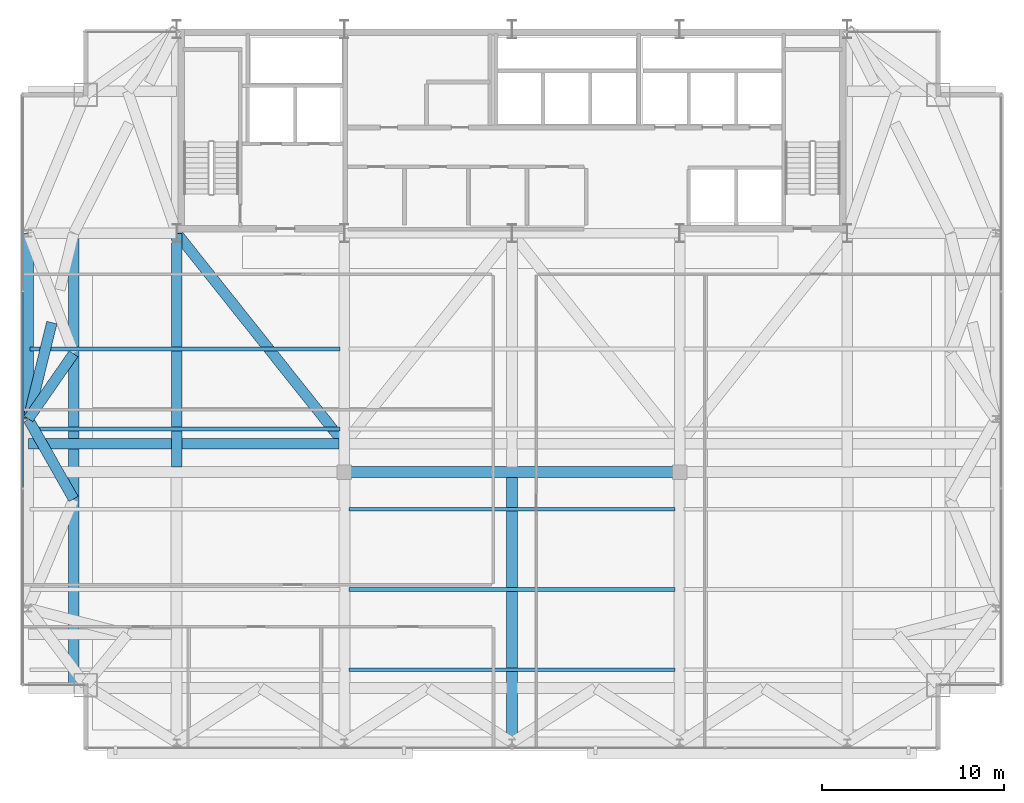
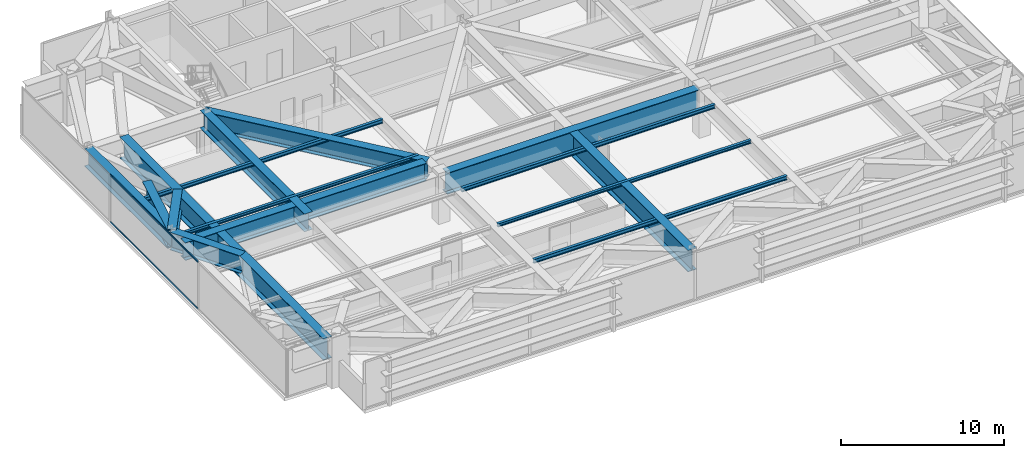
# One storey, part 10 of 26: 16 beams, 2 members, 1 element without a shape of its own.
"""IFC4 building model written with IfcOpenShell, lengths in metres."""

from ifc_helpers import new_model, si_unit, direction, frame, origin, origin_2d, place, context, subcontext, project, spatial, hollow_rectangle, i_section, extrude, source, transform, mapped, material, layer, layer_set, material_profile, profile_set, type_object, type_shapes, element, aggregate, save


model = new_model("IFC4")

# Units and contexts
model_context = context("Model", 3, precision=1e-05, world=origin(), true_north=direction((0.0, 1.0)))
body_context = subcontext(model_context, "Body", "Model", "MODEL_VIEW")
ifc_project = project(units=[si_unit("LENGTHUNIT", "METRE"), si_unit("AREAUNIT", "SQUARE_METRE"), si_unit("VOLUMEUNIT", "CUBIC_METRE"), si_unit("PLANEANGLEUNIT", "RADIAN"), si_unit("MASSUNIT", "GRAM", prefix="KILO")], contexts=[model_context])

# Site, building, storey
site_placement = place(None, origin())
site = spatial("IfcSite", under=ifc_project, at=site_placement, CompositionType="ELEMENT")
building_placement = place(site_placement, origin())
building = spatial("IfcBuilding", under=site, at=building_placement, Name="Varnel Quay Broadcast Tower", CompositionType="ELEMENT")
storey_placement = place(building_placement, frame((0.0, 0.0, 196.0)))
storey = spatial("IfcBuildingStorey", under=building, at=storey_placement, Name="L48", CompositionType="ELEMENT", Elevation=196.0)

# Beams
ifc_material_1 = material(Name="Structural Steel CSA G40.21 350WT", Category="steel")
ifc_material_profile_1 = material_profile(ifc_material_1, i_section(OverallWidth=0.580078125, OverallDepth=1.330078125, WebThickness=0.02197265625, FlangeThickness=0.0380859375, FilletRadius=0.02001953125, at=origin_2d()), Name="WWF1330X535")
ifc_profile_set_1 = profile_set([ifc_material_profile_1], Name="Structural Steel CSA G40.21 350WT")
beam_type_1 = type_object("IfcBeamType", Name="Girder_WWF1330X535", PredefinedType="BEAM", material=ifc_profile_set_1)
shared_shape_1 = source(origin(), body_context, "Body", "SweptSolid", [
    extrude(i_section(OverallWidth=0.580078125, OverallDepth=1.330078125, WebThickness=0.02197265625, FlangeThickness=0.0380859375, FilletRadius=0.02001953125, at=origin_2d()), origin(), (0.0, 0.0, 1.0), 10.16015625),
])
beam_1_placement = place(storey_placement, frame((7.449951171875, 25.419921875, 2.885009765625), z_axis=(0.0, 1.0, 0.0), x_axis=(-1.0, 0.0, 0.0)))
element("IfcBeam", 1, at=beam_1_placement, inside=storey, type_object=beam_type_1, Name="L48 West Transfer Spine TC-W2-TC-W3", PredefinedType="BEAM", context=body_context, shape_type="MappedRepresentation", body=[
    mapped(shared_shape_1, transform((0.0, 0.0, 0.0), x_axis=(1.0, 0.0, 0.0), y_axis=(0.0, 1.0, 0.0), z_axis=(0.0, 0.0, 1.0), scale=1.0)),
])
ifc_material_profile_2 = material_profile(ifc_material_1, i_section(OverallWidth=0.60009765625, OverallDepth=1.60009765625, WebThickness=0.02392578125, FlangeThickness=0.0419921875, FilletRadius=0.02197265625, at=origin_2d()), Name="WWF1600X620")
ifc_profile_set_2 = profile_set([ifc_material_profile_2], Name="Structural Steel CSA G40.21 350WT")
beam_type_2 = type_object("IfcBeamType", Name="Girder_WWF1600X620", PredefinedType="BEAM", material=ifc_profile_set_2)
shared_shape_2 = source(origin(), body_context, "Body", "SweptSolid", [
    extrude(i_section(OverallWidth=0.60009765625, OverallDepth=1.60009765625, WebThickness=0.02392578125, FlangeThickness=0.0419921875, FilletRadius=0.02197265625, at=origin_2d()), origin(), (0.0, 0.0, 1.0), 17.830078125),
])
beam_2_placement = place(storey_placement, frame((25.0849609375, 22.489990234375, 2.75), z_axis=(1.0, 0.0, 0.0), x_axis=(0.0, 1.0, 0.0)))
element("IfcBeam", 2, at=beam_2_placement, inside=storey, type_object=beam_type_2, Name="L48 Mid Transfer Spine C", PredefinedType="BEAM", context=body_context, shape_type="MappedRepresentation", body=[
    mapped(shared_shape_2, transform((0.0, 0.0, 0.0), x_axis=(1.0, 0.0, 0.0), y_axis=(0.0, 1.0, 0.0), z_axis=(0.0, 0.0, 1.0), scale=1.0)),
])
shared_shape_3 = source(origin(), body_context, "Body", "SweptSolid", [
    extrude(i_section(OverallWidth=0.580078125, OverallDepth=1.330078125, WebThickness=0.02197265625, FlangeThickness=0.0380859375, FilletRadius=0.02001953125, at=origin_2d()), origin(), (0.0, 0.0, 1.0), 8.6298828125),
])
beam_3_placement = place(storey_placement, frame((15.885009765625, 24.050048828125, 2.885009765625), z_axis=(1.0, 0.0, 0.0), x_axis=(0.0, 1.0, 0.0)))
element("IfcBeam", 3, at=beam_3_placement, inside=storey, type_object=beam_type_1, Name="L48 Setback Interior Column Transfer 2", PredefinedType="BEAM", context=body_context, shape_type="MappedRepresentation", body=[
    mapped(shared_shape_3, transform((0.0, 0.0, 0.0), x_axis=(1.0, 0.0, 0.0), y_axis=(0.0, 1.0, 0.0), z_axis=(0.0, 0.0, 1.0), scale=1.0)),
])
ifc_material_2 = material(Name="Structural Steel CSA G40.21 350W", Category="steel")
ifc_material_profile_3 = material_profile(ifc_material_2, i_section(OverallWidth=0.202880859375, OverallDepth=0.302978515625, WebThickness=0.007568359375, FlangeThickness=0.01318359375, FilletRadius=0.011962890625, at=origin_2d()), Name="W310X60")
ifc_profile_set_3 = profile_set([ifc_material_profile_3], Name="Structural Steel CSA G40.21 350W")
beam_type_3 = type_object("IfcBeamType", Name="Beam_W310X60", PredefinedType="JOIST", material=ifc_profile_set_3)
shared_shape_4 = source(origin(), body_context, "Body", "SweptSolid", [
    extrude(i_section(OverallWidth=0.202880859375, OverallDepth=0.302978515625, WebThickness=0.007568359375, FlangeThickness=0.01318359375, FilletRadius=0.011962890625, at=origin_2d()), origin(), (0.0, 0.0, 1.0), 17.91015625),
])
for number, where, z_axis, x_axis, name in (
    (4, (25.044921875, 11.64990234375, 3.3984375), (1.0, 0.0, 0.0), (0.0, 1.0, 0.0), "L48 Central Floor Joist 1"),
    (5, (25.044921875, 20.449951171875, 3.3984375), (1.0, 0.0, 0.0), (0.0, 1.0, 0.0), "L48 Central Floor Joist 3"),
):
    element("IfcBeam", number, at=place(storey_placement, frame(where, z_axis=z_axis, x_axis=x_axis)), inside=storey, type_object=beam_type_3, Name=name, PredefinedType="JOIST", context=body_context, shape_type="MappedRepresentation", body=[
        mapped(shared_shape_4, transform((0.0, 0.0, 0.0), x_axis=(1.0, 0.0, 0.0), y_axis=(0.0, 1.0, 0.0), z_axis=(0.0, 0.0, 1.0), scale=1.0)),
    ])
ifc_material_profile_4 = material_profile(ifc_material_2, i_section(OverallWidth=0.201904296875, OverallDepth=0.2470703125, WebThickness=0.00732421875, FlangeThickness=0.010986328125, FilletRadius=0.010986328125, at=origin_2d()), Name="W250X49")
ifc_profile_set_4 = profile_set([ifc_material_profile_4], Name="Structural Steel CSA G40.21 350W")
beam_type_4 = type_object("IfcBeamType", Name="Beam_W250X49", PredefinedType="JOIST", material=ifc_profile_set_4)
shared_shape_5 = source(origin(), body_context, "Body", "SweptSolid", [
    extrude(i_section(OverallWidth=0.201904296875, OverallDepth=0.2470703125, WebThickness=0.00732421875, FlangeThickness=0.010986328125, FilletRadius=0.010986328125, at=origin_2d()), origin(), (0.0, 0.0, 1.0), 17.91015625),
])
beam_4_placement = place(storey_placement, frame((25.044921875, 16.050048828125, 3.426513671875), z_axis=(1.0, 0.0, 0.0), x_axis=(0.0, 1.0, 0.0)))
element("IfcBeam", 6, at=beam_4_placement, inside=storey, type_object=beam_type_4, Name="L48 Central Floor Joist 2", PredefinedType="JOIST", context=body_context, shape_type="MappedRepresentation", body=[
    mapped(shared_shape_5, transform((0.0, 0.0, 0.0), x_axis=(1.0, 0.0, 0.0), y_axis=(0.0, 1.0, 0.0), z_axis=(0.0, 0.0, 1.0), scale=1.0)),
])
shared_shape_6 = source(origin(), body_context, "Body", "SweptSolid", [
    extrude(i_section(OverallWidth=0.60009765625, OverallDepth=1.60009765625, WebThickness=0.02392578125, FlangeThickness=0.0419921875, FilletRadius=0.02197265625, at=origin_2d()), origin(), (0.0, 0.0, 1.0), 14.53515625),
])
beam_5_placement = place(storey_placement, frame((34.0, 7.669921875, 2.75), z_axis=(0.0, 1.0, 0.0), x_axis=(-1.0, 0.0, 0.0)))
element("IfcBeam", 7, at=beam_5_placement, inside=storey, type_object=beam_type_2, Name="L48 N-S Transfer Girder 3A", PredefinedType="BEAM", context=body_context, shape_type="MappedRepresentation", body=[
    mapped(shared_shape_6, transform((0.0, 0.0, 0.0), x_axis=(1.0, 0.0, 0.0), y_axis=(0.0, 1.0, 0.0), z_axis=(0.0, 0.0, 1.0), scale=1.0)),
])
shared_shape_7 = source(origin(), body_context, "Body", "SweptSolid", [
    extrude(i_section(OverallWidth=0.580078125, OverallDepth=1.330078125, WebThickness=0.02197265625, FlangeThickness=0.0380859375, FilletRadius=0.02001953125, at=origin_2d()), origin(), (0.0, 0.0, 1.0), 12.80517578125),
])
beam_6_placement = place(storey_placement, frame((15.60009765625, 22.77490234375, 2.885009765625), z_axis=(0.0, 1.0, 0.0), x_axis=(-1.0, 0.0, 0.0)))
element("IfcBeam", 8, at=beam_6_placement, inside=storey, type_object=beam_type_1, Name="L48 N-S Transfer Girder 1B", PredefinedType="BEAM", context=body_context, shape_type="MappedRepresentation", body=[
    mapped(shared_shape_7, transform((0.0, 0.0, 0.0), x_axis=(1.0, 0.0, 0.0), y_axis=(0.0, 1.0, 0.0), z_axis=(0.0, 0.0, 1.0), scale=1.0)),
])
shared_shape_8 = source(origin(), body_context, "Body", "SweptSolid", [
    extrude(i_section(OverallWidth=0.580078125, OverallDepth=1.330078125, WebThickness=0.02197265625, FlangeThickness=0.0380859375, FilletRadius=0.02001953125, at=origin_2d()), origin(), (0.0, 0.0, 1.0), 7.844970703125),
])
beam_7_placement = place(storey_placement, frame((7.469970703125, 24.050048828125, 2.885009765625), z_axis=(1.0, 0.0, 0.0), x_axis=(0.0, 1.0, 0.0)))
element("IfcBeam", 9, at=beam_7_placement, inside=storey, type_object=beam_type_1, Name="L48 Setback Interior Column Transfer 1", PredefinedType="BEAM", context=body_context, shape_type="MappedRepresentation", body=[
    mapped(shared_shape_8, transform((0.0, 0.0, 0.0), x_axis=(1.0, 0.0, 0.0), y_axis=(0.0, 1.0, 0.0), z_axis=(0.0, 0.0, 1.0), scale=1.0)),
])
shared_shape_9 = source(origin(), body_context, "Body", "SweptSolid", [
    extrude(i_section(OverallWidth=0.60009765625, OverallDepth=1.60009765625, WebThickness=0.02392578125, FlangeThickness=0.0419921875, FilletRadius=0.02197265625, at=origin_2d()), origin(), (0.0, 0.0, 1.0), 24.91015625),
])
type_shapes(beam_type_2, [shared_shape_2, shared_shape_6, shared_shape_9])
beam_8_placement = place(storey_placement, frame((9.949951171875, 10.669921875, 2.75), z_axis=(0.0, 1.0, 0.0), x_axis=(-1.0, 0.0, 0.0)))
element("IfcBeam", 10, at=beam_8_placement, inside=storey, type_object=beam_type_2, Name="L48 Setback West Transfer Header", PredefinedType="BEAM", context=body_context, shape_type="MappedRepresentation", body=[
    mapped(shared_shape_9, transform((0.0, 0.0, 0.0), x_axis=(1.0, 0.0, 0.0), y_axis=(0.0, 1.0, 0.0), z_axis=(0.0, 0.0, 1.0), scale=1.0)),
])
shared_shape_10 = source(origin(), body_context, "Body", "SweptSolid", [
    extrude(i_section(OverallWidth=0.580078125, OverallDepth=1.330078125, WebThickness=0.02197265625, FlangeThickness=0.0380859375, FilletRadius=0.02001953125, at=origin_2d()), origin(), (0.0, 0.0, 1.0), 5.020751953125),
])
beam_9_placement = place(storey_placement, frame((7.4599609375, 25.382568359375, 2.885009765625), z_axis=(0.494006065775, -0.869458456154, 0.0), x_axis=(0.869458456154, 0.494006065775, 0.0)))
element("IfcBeam", 11, at=beam_9_placement, inside=storey, type_object=beam_type_1, Name="L48 Nodal Transfer Tie TC-W1-TC-W2", PredefinedType="BEAM", context=body_context, shape_type="MappedRepresentation", body=[
    mapped(shared_shape_10, transform((0.0, 0.0, 0.0), x_axis=(1.0, 0.0, 0.0), y_axis=(0.0, 1.0, 0.0), z_axis=(0.0, 0.0, 1.0), scale=1.0)),
])
shared_shape_11 = source(origin(), body_context, "Body", "SweptSolid", [
    extrude(i_section(OverallWidth=0.580078125, OverallDepth=1.330078125, WebThickness=0.02197265625, FlangeThickness=0.0380859375, FilletRadius=0.02001953125, at=origin_2d()), origin(), (0.0, 0.0, 1.0), 4.343017578125),
])
beam_10_placement = place(storey_placement, frame((7.46142578125, 25.41650390625, 2.885009765625), z_axis=(0.570413718567, 0.821357528529, 0.0), x_axis=(-0.821357528529, 0.570413718567, 0.0)))
element("IfcBeam", 12, at=beam_10_placement, inside=storey, type_object=beam_type_1, Name="L48 Nodal Transfer Tie TC-W2-TC-W2", PredefinedType="BEAM", context=body_context, shape_type="MappedRepresentation", body=[
    mapped(shared_shape_11, transform((0.0, 0.0, 0.0), x_axis=(1.0, 0.0, 0.0), y_axis=(0.0, 1.0, 0.0), z_axis=(0.0, 0.0, 1.0), scale=1.0)),
])
shared_shape_12 = source(origin(), body_context, "Body", "SweptSolid", [
    extrude(i_section(OverallWidth=0.580078125, OverallDepth=1.330078125, WebThickness=0.02197265625, FlangeThickness=0.0380859375, FilletRadius=0.02001953125, at=origin_2d()), origin(), (0.0, 0.0, 1.0), 14.726318359375),
])
beam_11_placement = place(storey_placement, frame((15.612548828125, 35.58447265625, 2.885009765625), z_axis=(0.623037811648, -0.78219171899, 0.0), x_axis=(0.78219171899, 0.623037811648, 0.0)))
element("IfcBeam", 13, at=beam_11_placement, inside=storey, type_object=beam_type_1, Name="L48 Nodal Transfer Tie IC-01-CC-S1", PredefinedType="BEAM", context=body_context, shape_type="MappedRepresentation", body=[
    mapped(shared_shape_12, transform((0.0, 0.0, 0.0), x_axis=(1.0, 0.0, 0.0), y_axis=(0.0, 1.0, 0.0), z_axis=(0.0, 0.0, 1.0), scale=1.0)),
])
shared_shape_13 = source(origin(), body_context, "Body", "SweptSolid", [
    extrude(i_section(OverallWidth=0.580078125, OverallDepth=1.330078125, WebThickness=0.02197265625, FlangeThickness=0.0380859375, FilletRadius=0.02001953125, at=origin_2d()), origin(), (0.0, 0.0, 1.0), 5.433837890625),
])
type_shapes(beam_type_1, [shared_shape_1, shared_shape_3, shared_shape_7, shared_shape_8, shared_shape_10, shared_shape_11, shared_shape_12, shared_shape_13])
beam_12_placement = place(storey_placement, frame((7.454833984375, 25.41943359375, 2.885009765625), z_axis=(0.238040007586, 0.971255349941, 0.0), x_axis=(-0.971255349941, 0.238040007586, 0.0)))
element("IfcBeam", 14, at=beam_12_placement, inside=storey, type_object=beam_type_1, Name="L48 X-Braced Transfer Tie TC-W3-TC-W2 Part 1", PredefinedType="BEAM", context=body_context, shape_type="MappedRepresentation", body=[
    mapped(shared_shape_13, transform((0.0, 0.0, 0.0), x_axis=(1.0, 0.0, 0.0), y_axis=(0.0, 1.0, 0.0), z_axis=(0.0, 0.0, 1.0), scale=1.0)),
])
shared_shape_14 = source(origin(), body_context, "Body", "SweptSolid", [
    extrude(i_section(OverallWidth=0.202880859375, OverallDepth=0.302978515625, WebThickness=0.007568359375, FlangeThickness=0.01318359375, FilletRadius=0.011962890625, at=origin_2d()), origin(), (0.0, 0.0, 1.0), 17.01953125),
])
type_shapes(beam_type_3, [shared_shape_4, shared_shape_14])
beam_13_placement = place(storey_placement, frame((7.535400390625, 29.25, 3.3984375), z_axis=(1.0, 0.0, 0.0), x_axis=(0.0, 1.0, 0.0)))
element("IfcBeam", 15, at=beam_13_placement, inside=storey, type_object=beam_type_3, Name="L48 West Floor Joist 5", PredefinedType="JOIST", context=body_context, shape_type="MappedRepresentation", body=[
    mapped(shared_shape_14, transform((0.0, 0.0, 0.0), x_axis=(1.0, 0.0, 0.0), y_axis=(0.0, 1.0, 0.0), z_axis=(0.0, 0.0, 1.0), scale=1.0)),
])
shared_shape_15 = source(origin(), body_context, "Body", "SweptSolid", [
    extrude(i_section(OverallWidth=0.201904296875, OverallDepth=0.2470703125, WebThickness=0.00732421875, FlangeThickness=0.010986328125, FilletRadius=0.010986328125, at=origin_2d()), origin(), (0.0, 0.0, 1.0), 17.01953125),
])
type_shapes(beam_type_4, [shared_shape_5, shared_shape_15])
beam_14_placement = place(storey_placement, frame((7.535400390625, 24.85009765625, 3.426513671875), z_axis=(1.0, 0.0, 0.0), x_axis=(0.0, 1.0, 0.0)))
element("IfcBeam", 16, at=beam_14_placement, inside=storey, type_object=beam_type_4, Name="L48 West Floor Joist 4", PredefinedType="JOIST", context=body_context, shape_type="MappedRepresentation", body=[
    mapped(shared_shape_15, transform((0.0, 0.0, 0.0), x_axis=(1.0, 0.0, 0.0), y_axis=(0.0, 1.0, 0.0), z_axis=(0.0, 0.0, 1.0), scale=1.0)),
])

# Curtain wall, members
ifc_material_3 = material(Name="Anodised Bronze Aluminium 6063-T6", Category="aluminium")
ifc_layer = layer(ifc_material_3, 0.18994140625, Name="Anodised Bronze Aluminium 6063-T6")
ifc_layer_set = layer_set([ifc_layer], Name="Anodised Bronze Aluminium 6063-T6")
curtain_wall_type = type_object("IfcCurtainWallType", Name="CW_UpperTower", PredefinedType="NOTDEFINED", material=ifc_layer_set)
curtain_wall_placement = place(storey_placement, origin())
curtain_wall = element("IfcCurtainWall", 17, at=curtain_wall_placement, inside=storey, type_object=curtain_wall_type, Name="L48 West Unitised Curtain Wall", PredefinedType="NOTDEFINED")
ifc_material_profile_5 = material_profile(ifc_material_3, hollow_rectangle(XDim=0.06005859375, YDim=0.125, WallThickness=0.0029296875, at=origin_2d()), Name="ALU60X125X3")
ifc_profile_set_5 = profile_set([ifc_material_profile_5], Name="Anodised Bronze Aluminium 6063-T6")
member_type = type_object("IfcMemberType", Name="Tran_CWS-03", PredefinedType="USERDEFINED", material=ifc_profile_set_5)
shared_shape_16 = source(origin(), body_context, "Body", "SweptSolid", [
    extrude(hollow_rectangle(XDim=0.06005859375, YDim=0.125, WallThickness=0.0029296875, at=origin_2d()), origin(), (0.0, 0.0, 1.0), 10.73486328125),
])
type_shapes(member_type, [shared_shape_16])
member_1_placement = place(storey_placement, frame((7.14990234375, 21.632568359375, 0.030029296875), z_axis=(0.0, 1.0, 0.0), x_axis=(-1.0, 0.0, 0.0)))
member_1 = element("IfcMember", 18, at=member_1_placement, type_object=member_type, Name="CWS-03 transom 2.1", ObjectType="TRANSOM", PredefinedType="USERDEFINED", context=body_context, shape_type="MappedRepresentation", body=[
    mapped(shared_shape_16, transform((0.0, 0.0, 0.0), x_axis=(1.0, 0.0, 0.0), y_axis=(0.0, 1.0, 0.0), z_axis=(0.0, 0.0, 1.0), scale=1.0)),
])
member_2_placement = place(storey_placement, frame((7.14990234375, 21.632568359375, 3.52001953125), z_axis=(0.0, 1.0, 0.0), x_axis=(-1.0, 0.0, 0.0)))
member_2 = element("IfcMember", 19, at=member_2_placement, type_object=member_type, Name="CWS-03 transom 2.2", ObjectType="TRANSOM", PredefinedType="USERDEFINED", context=body_context, shape_type="MappedRepresentation", body=[
    mapped(shared_shape_16, transform((0.0, 0.0, 0.0), x_axis=(1.0, 0.0, 0.0), y_axis=(0.0, 1.0, 0.0), z_axis=(0.0, 0.0, 1.0), scale=1.0)),
])
aggregate(curtain_wall, [member_1, member_2])

save(model, "model.ifc")
